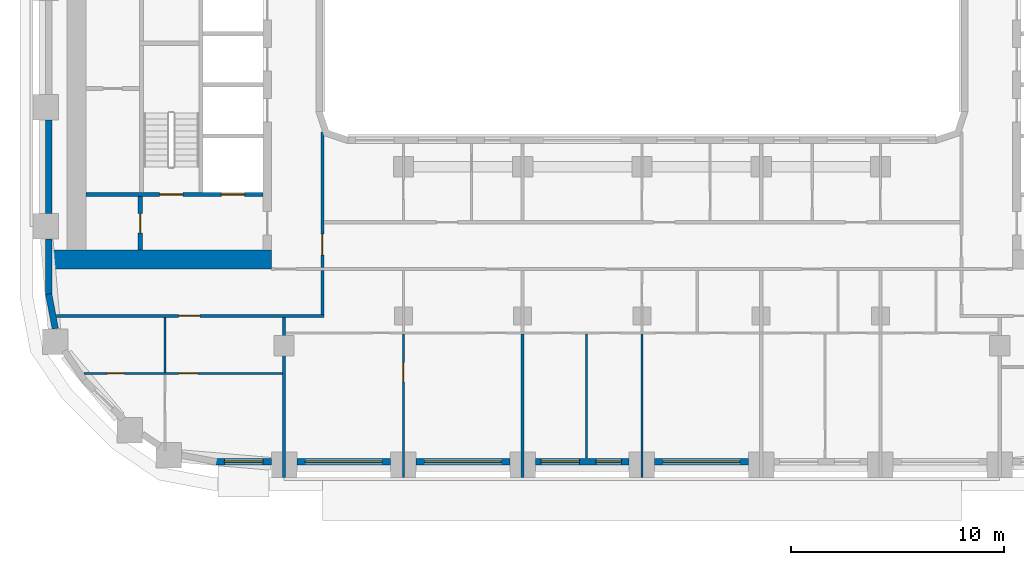
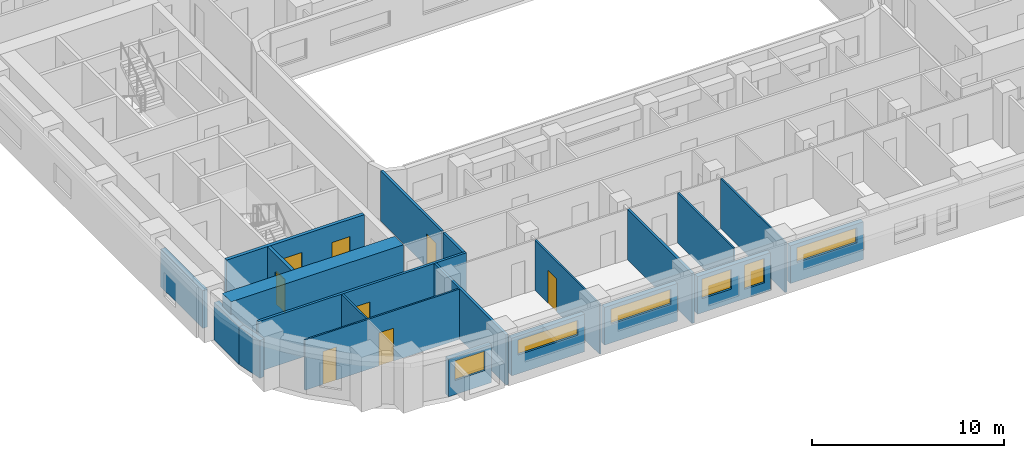
# One storey, part 3 of 23: 21 walls, 8 doors, 6 windows, 14 openings.
"""IFC4 building model written with IfcOpenShell, lengths in metres."""

from ifc_helpers import new_model, si_unit, direction, frame, frame_2d, origin, place, context, subcontext, project, spatial, rectangle, extrude, material, layer, layer_set, type_object, element, fill, save


model = new_model("IFC4")

# Units and contexts
model_context = context("Model", 3, precision=1e-05, world=origin(), true_north=direction((0.0, 1.0)))
body_context = subcontext(model_context, "Body", "Model", "MODEL_VIEW")
ifc_project = project(units=[si_unit("LENGTHUNIT", "METRE"), si_unit("AREAUNIT", "SQUARE_METRE"), si_unit("VOLUMEUNIT", "CUBIC_METRE"), si_unit("PLANEANGLEUNIT", "RADIAN"), si_unit("MASSUNIT", "GRAM", prefix="KILO")], contexts=[model_context])

# Site, building, storey
site_placement = place(None, origin())
site = spatial("IfcSite", under=ifc_project, at=site_placement, CompositionType="ELEMENT")
building_placement = place(site_placement, origin())
building = spatial("IfcBuilding", under=site, at=building_placement, Name="Kiln Ring Residences", CompositionType="ELEMENT")
storey_placement = place(building_placement, frame((0.0, 0.0, 118.300048828125)))
storey = spatial("IfcBuildingStorey", under=building, at=storey_placement, Name="L30", CompositionType="ELEMENT", Elevation=118.300048828125)

# Wall, opening, door
ifc_material_1 = material(Name="Gypsum board on steel studs", Category="steel")
ifc_layer_1 = layer(ifc_material_1, 0.199951171875)
ifc_layer_set_1 = layer_set([ifc_layer_1], Name="CORE-PARTITION-200")
wall_type_1 = type_object("IfcWallType", Name="CORE-PARTITION-200", PredefinedType="PARTITIONING", material=ifc_layer_set_1)
wall_1_placement = place(storey_placement, frame((-23.550048828125, -12.300048828125, 0.0), z_axis=(0.0, 0.0, 1.0), x_axis=(0.0, 1.0, 0.0)))
wall_1 = element("IfcWall", 1, at=wall_1_placement, inside=storey, type_object=wall_type_1, Name="Core partition west L30 5", PredefinedType="PARTITIONING", context=body_context, shape_type="SweptSolid", body=[
    extrude(rectangle(XDim=2.5, YDim=0.199951171875, at=frame_2d((1.25, 0.0))), origin(), (0.0, 0.0, 1.0), 3.199951171875),
])
opening_1_placement = place(wall_1_placement, frame((0.800048828125, 0.0, 0.0)))
opening_1 = element("IfcOpeningElement", 2, at=opening_1_placement, cuts=wall_1, Name="Opening L30-CW11", PredefinedType="OPENING", context=body_context, shape_type="SweptSolid", body=[
    extrude(rectangle(XDim=0.89990234375, YDim=2.10009765625, at=frame_2d((0.449951171875, 1.050048828125))), frame((0.0, 0.10986328125, 0.0), z_axis=(0.0, -1.0, 0.0), x_axis=(1.0, 0.0, 0.0)), (0.0, 0.0, 1.0), 0.219970703125),
])
ifc_material_2 = material(Name="Steel door leaf", Category="steel")
door_type_1 = type_object("IfcDoorType", Name="CORE-DOOR-ROOM", OperationType="SINGLE_SWING_LEFT", PredefinedType="DOOR", material=ifc_material_2)
door_1_placement = place(opening_1_placement, origin())
door_1 = element("IfcDoor", 3, at=door_1_placement, inside=storey, type_object=door_type_1, Name="Store L30-CW11", OperationType="SINGLE_SWING_LEFT", OverallHeight=2.10009765625, OverallWidth=0.89990234375, PredefinedType="DOOR", context=body_context, shape_type="SweptSolid", body=[
    extrude(rectangle(XDim=0.89990234375, YDim=2.10009765625, at=frame_2d((0.449951171875, 1.050048828125))), frame((0.0, 0.02490234375, 0.0), z_axis=(0.0, -1.0, 0.0), x_axis=(1.0, 0.0, 0.0)), (0.0, 0.0, 1.0), 0.050048828125),
])
fill(opening_1, door_1)

# Wall, openings, doors
ifc_material_3 = material(Name="Concrete C40/50", Category="concrete")
ifc_layer_2 = layer(ifc_material_3, 0.199951171875)
ifc_layer_set_2 = layer_set([ifc_layer_2], Name="CORE-WALL-RC200")
wall_type_2 = type_object("IfcWallType", Name="CORE-WALL-RC200", PredefinedType="SHEAR", material=ifc_layer_set_2)
wall_2_placement = place(storey_placement, frame((-17.800048828125, -9.699951171875, 0.0), z_axis=(0.0, 0.0, 1.0), x_axis=(-1.0, 0.0, 0.0)))
wall_2 = element("IfcWall", 4, at=wall_2_placement, inside=storey, type_object=wall_type_2, Name="Core wall west L30 8", PredefinedType="SHEAR", context=body_context, shape_type="SweptSolid", body=[
    extrude(rectangle(XDim=8.300048828125, YDim=0.199951171875, at=frame_2d((4.14990234375, 0.0))), origin(), (0.0, 0.0, 1.0), 3.199951171875),
])
opening_2_placement = place(wall_2_placement, frame((0.85009765625, 0.0, 0.0)))
opening_2 = element("IfcOpeningElement", 5, at=opening_2_placement, cuts=wall_2, Name="Opening L30-CW01", PredefinedType="OPENING", context=body_context, shape_type="SweptSolid", body=[
    extrude(rectangle(XDim=1.10009765625, YDim=2.10009765625, at=frame_2d((0.550048828125, 1.050048828125))), frame((0.0, 0.10986328125, 0.0), z_axis=(0.0, -1.0, 0.0), x_axis=(1.0, 0.0, 0.0)), (0.0, 0.0, 1.0), 0.219970703125),
])
opening_3_placement = place(wall_2_placement, frame((3.75, 0.0, 0.0)))
opening_3 = element("IfcOpeningElement", 6, at=opening_3_placement, cuts=wall_2, Name="Opening L30-CW13", PredefinedType="OPENING", context=body_context, shape_type="SweptSolid", body=[
    extrude(rectangle(XDim=1.10009765625, YDim=2.10009765625, at=frame_2d((0.550048828125, 1.050048828125))), frame((0.0, 0.10986328125, 0.0), z_axis=(0.0, -1.0, 0.0), x_axis=(1.0, 0.0, 0.0)), (0.0, 0.0, 1.0), 0.219970703125),
])
ifc_material_4 = material(Name="Steel door leaf", Category="steel")
door_type_2 = type_object("IfcDoorType", Name="CORE-DOOR-LD", OperationType="DOUBLE_DOOR_SLIDING", PredefinedType="DOOR", material=ifc_material_4)
door_2_placement = place(opening_2_placement, origin())
door_2 = element("IfcDoor", 7, at=door_2_placement, inside=storey, type_object=door_type_2, Name="LD W-SV L30-CW01", OperationType="DOUBLE_DOOR_SLIDING", OverallHeight=2.10009765625, OverallWidth=1.10009765625, PredefinedType="DOOR", context=body_context, shape_type="SweptSolid", body=[
    extrude(rectangle(XDim=1.10009765625, YDim=2.10009765625, at=frame_2d((0.550048828125, 1.050048828125))), frame((0.0, 0.02490234375, 0.0), z_axis=(0.0, -1.0, 0.0), x_axis=(1.0, 0.0, 0.0)), (0.0, 0.0, 1.0), 0.050048828125),
])
fill(opening_2, door_2)
ifc_material_5 = material(Name="Steel door leaf", Category="steel")
door_type_3 = type_object("IfcDoorType", Name="CORE-DOOR-STAIR", OperationType="SINGLE_SWING_LEFT", PredefinedType="DOOR", material=ifc_material_5)
door_3_placement = place(opening_3_placement, origin())
door_3 = element("IfcDoor", 8, at=door_3_placement, inside=storey, type_object=door_type_3, Name="Stair W-STS L30-CW13", OperationType="SINGLE_SWING_RIGHT", OverallHeight=2.10009765625, OverallWidth=1.10009765625, PredefinedType="DOOR", context=body_context, shape_type="SweptSolid", body=[
    extrude(rectangle(XDim=1.10009765625, YDim=2.10009765625, at=frame_2d((0.550048828125, 1.050048828125))), frame((0.0, 0.02490234375, 0.0), z_axis=(0.0, -1.0, 0.0), x_axis=(1.0, 0.0, 0.0)), (0.0, 0.0, 1.0), 0.050048828125),
])
fill(opening_3, door_3)

# Wall
ifc_material_6 = material(Name="Concrete C60/75", Category="concrete")
ifc_layer_3 = layer(ifc_material_6, 0.89990234375)
ifc_layer_set_3 = layer_set([ifc_layer_3], Name="CORE-WALL-RC900")
wall_type_3 = type_object("IfcWallType", Name="CORE-WALL-RC900", PredefinedType="SHEAR", material=ifc_layer_set_3)
wall_3_placement = place(storey_placement, frame((-17.39990234375, -12.75, 0.0), z_axis=(0.0, 0.0, 1.0), x_axis=(-1.0, 0.0, 0.0)))
element("IfcWall", 9, at=wall_3_placement, inside=storey, type_object=wall_type_3, Name="Core wall west L30 5", PredefinedType="SHEAR", context=body_context, shape_type="SweptSolid", body=[
    extrude(rectangle(XDim=10.400146484375, YDim=0.89990234375, at=frame_2d((5.2001953125, 0.0))), origin(), (0.0, 0.0, 1.0), 3.199951171875),
])

# Wall, opening, window
ifc_material_7 = material(Name="Brick masonry, dark clay brick", Category="masonry")
ifc_layer_4 = layer(ifc_material_7, 0.300048828125)
ifc_layer_set_4 = layer_set([ifc_layer_4], Name="EW-300 BRICK WALL")
wall_type_4 = type_object("IfcWallType", Name="EW-300 BRICK WALL", PredefinedType="SOLIDWALL", material=ifc_layer_set_4)
wall_4_placement = place(storey_placement, frame((-20.0, -22.25, 0.0), z_axis=(0.0, 0.0, 1.0), x_axis=(1.0, 0.0, 0.0)))
wall_4 = element("IfcWall", 10, at=wall_4_placement, inside=storey, type_object=wall_type_4, Name="Facade wall L30 4", PredefinedType="SOLIDWALL", context=body_context, shape_type="SweptSolid", body=[
    extrude(rectangle(XDim=2.60009765625, YDim=0.300048828125, at=frame_2d((1.300048828125, 0.0))), origin(), (0.0, 0.0, 1.0), 2.39990234375),
])
opening_4_placement = place(wall_4_placement, frame((0.39990234375, 0.0, 0.89990234375)))
opening_4 = element("IfcOpeningElement", 11, at=opening_4_placement, cuts=wall_4, Name="Opening W2", PredefinedType="OPENING", context=body_context, shape_type="SweptSolid", body=[
    extrude(rectangle(XDim=1.800048828125, YDim=1.25, at=frame_2d((0.89990234375, 0.625))), frame((0.0, 0.159912109375, 0.0), z_axis=(0.0, -1.0, 0.0), x_axis=(1.0, 0.0, 0.0)), (0.0, 0.0, 1.0), 0.320068359375),
])
ifc_material_8 = material(Name="Aluminium frame with double glazing", Category="aluminium")
window_type_1 = type_object("IfcWindowType", Name="WINDOW 1800 x 1250", PartitioningType="SINGLE_PANEL", PredefinedType="WINDOW", material=ifc_material_8)
window_1_placement = place(opening_4_placement, origin())
window_1 = element("IfcWindow", 12, at=window_1_placement, inside=storey, type_object=window_type_1, Name="Window L30 2", OverallHeight=1.25, OverallWidth=1.800048828125, PartitioningType="SINGLE_PANEL", PredefinedType="WINDOW", context=body_context, shape_type="SweptSolid", body=[
    extrude(rectangle(XDim=1.800048828125, YDim=1.25, at=frame_2d((0.89990234375, 0.625))), frame((0.0, 0.030029296875, 0.0), z_axis=(0.0, -1.0, 0.0), x_axis=(1.0, 0.0, 0.0)), (0.0, 0.0, 1.0), 0.06005859375),
])
fill(opening_4, window_1)

wall_5_placement = place(storey_placement, frame((-16.199951171875, -22.25, 0.0), z_axis=(0.0, 0.0, 1.0), x_axis=(1.0, 0.0, 0.0)))
wall_5 = element("IfcWall", 13, at=wall_5_placement, inside=storey, type_object=wall_type_4, Name="Facade wall L30 5", PredefinedType="SOLIDWALL", context=body_context, shape_type="SweptSolid", body=[
    extrude(rectangle(XDim=4.39990234375, YDim=0.300048828125, at=frame_2d((2.199951171875, 0.0))), origin(), (0.0, 0.0, 1.0), 2.39990234375),
])
opening_5_placement = place(wall_5_placement, frame((0.39990234375, 0.0, 1.199951171875)))
opening_5 = element("IfcOpeningElement", 14, at=opening_5_placement, cuts=wall_5, Name="Opening W4", PredefinedType="OPENING", context=body_context, shape_type="SweptSolid", body=[
    extrude(rectangle(XDim=3.60009765625, YDim=0.949951171875, at=frame_2d((1.800048828125, 0.47509765625))), frame((0.0, 0.159912109375, 0.0), z_axis=(0.0, -1.0, 0.0), x_axis=(1.0, 0.0, 0.0)), (0.0, 0.0, 1.0), 0.320068359375),
])
ifc_material_9 = material(Name="Aluminium frame with double glazing", Category="aluminium")
window_type_2 = type_object("IfcWindowType", Name="WINDOW 3600 x 950", PartitioningType="SINGLE_PANEL", PredefinedType="WINDOW", material=ifc_material_9)
window_2_placement = place(opening_5_placement, origin())
window_2 = element("IfcWindow", 15, at=window_2_placement, inside=storey, type_object=window_type_2, Name="Window L30 3", OverallHeight=0.949951171875, OverallWidth=3.60009765625, PartitioningType="SINGLE_PANEL", PredefinedType="WINDOW", context=body_context, shape_type="SweptSolid", body=[
    extrude(rectangle(XDim=3.60009765625, YDim=0.949951171875, at=frame_2d((1.800048828125, 0.47509765625))), frame((0.0, 0.030029296875, 0.0), z_axis=(0.0, -1.0, 0.0), x_axis=(1.0, 0.0, 0.0)), (0.0, 0.0, 1.0), 0.06005859375),
])
fill(opening_5, window_2)

wall_6_placement = place(storey_placement, frame((-10.60009765625, -22.25, 0.0), z_axis=(0.0, 0.0, 1.0), x_axis=(1.0, 0.0, 0.0)))
wall_6 = element("IfcWall", 16, at=wall_6_placement, inside=storey, type_object=wall_type_4, Name="Facade wall L30 6", PredefinedType="SOLIDWALL", context=body_context, shape_type="SweptSolid", body=[
    extrude(rectangle(XDim=4.400146484375, YDim=0.300048828125, at=frame_2d((2.2001953125, 0.0))), origin(), (0.0, 0.0, 1.0), 2.39990234375),
])
opening_6_placement = place(wall_6_placement, frame((0.39990234375, 0.0, 1.199951171875)))
opening_6 = element("IfcOpeningElement", 17, at=opening_6_placement, cuts=wall_6, Name="Opening W4", PredefinedType="OPENING", context=body_context, shape_type="SweptSolid", body=[
    extrude(rectangle(XDim=3.60009765625, YDim=0.949951171875, at=frame_2d((1.800048828125, 0.47509765625))), frame((0.0, 0.159912109375, 0.0), z_axis=(0.0, -1.0, 0.0), x_axis=(1.0, 0.0, 0.0)), (0.0, 0.0, 1.0), 0.320068359375),
])
window_3_placement = place(opening_6_placement, origin())
window_3 = element("IfcWindow", 18, at=window_3_placement, inside=storey, type_object=window_type_2, Name="Window L30 4", OverallHeight=0.949951171875, OverallWidth=3.60009765625, PartitioningType="SINGLE_PANEL", PredefinedType="WINDOW", context=body_context, shape_type="SweptSolid", body=[
    extrude(rectangle(XDim=3.60009765625, YDim=0.949951171875, at=frame_2d((1.800048828125, 0.47509765625))), frame((0.0, 0.030029296875, 0.0), z_axis=(0.0, -1.0, 0.0), x_axis=(1.0, 0.0, 0.0)), (0.0, 0.0, 1.0), 0.06005859375),
])
fill(opening_6, window_3)

# Wall, openings, windows
wall_7_placement = place(storey_placement, frame((-5.0, -22.25, 0.0), z_axis=(0.0, 0.0, 1.0), x_axis=(1.0, 0.0, 0.0)))
wall_7 = element("IfcWall", 19, at=wall_7_placement, inside=storey, type_object=wall_type_4, Name="Facade wall L30 7", PredefinedType="SOLIDWALL", context=body_context, shape_type="SweptSolid", body=[
    extrude(rectangle(XDim=4.39990234375, YDim=0.300048828125, at=frame_2d((2.199951171875, 0.0))), origin(), (0.0, 0.0, 1.0), 2.39990234375),
])
opening_7_placement = place(wall_7_placement, frame((0.262451171875, 0.0, 0.89990234375)))
opening_7 = element("IfcOpeningElement", 20, at=opening_7_placement, cuts=wall_7, Name="Opening W2", PredefinedType="OPENING", context=body_context, shape_type="SweptSolid", body=[
    extrude(rectangle(XDim=1.800048828125, YDim=1.25, at=frame_2d((0.89990234375, 0.625))), frame((0.0, 0.159912109375, 0.0), z_axis=(0.0, -1.0, 0.0), x_axis=(1.0, 0.0, 0.0)), (0.0, 0.0, 1.0), 0.320068359375),
])
opening_8_placement = place(wall_7_placement, frame((2.83740234375, 0.0, 0.60009765625)))
opening_8 = element("IfcOpeningElement", 21, at=opening_8_placement, cuts=wall_7, Name="Opening W1", PredefinedType="OPENING", context=body_context, shape_type="SweptSolid", body=[
    extrude(rectangle(XDim=1.199951171875, YDim=1.550048828125, at=frame_2d((0.60009765625, 0.77490234375))), frame((0.0, 0.159912109375, 0.0), z_axis=(0.0, -1.0, 0.0), x_axis=(1.0, 0.0, 0.0)), (0.0, 0.0, 1.0), 0.320068359375),
])
ifc_material_10 = material(Name="Aluminium frame with double glazing", Category="aluminium")
window_type_3 = type_object("IfcWindowType", Name="WINDOW 1200 x 1550", PartitioningType="SINGLE_PANEL", PredefinedType="WINDOW", material=ifc_material_10)
window_4_placement = place(opening_8_placement, origin())
window_4 = element("IfcWindow", 22, at=window_4_placement, inside=storey, type_object=window_type_3, Name="Window L30 6", OverallHeight=1.550048828125, OverallWidth=1.199951171875, PartitioningType="SINGLE_PANEL", PredefinedType="WINDOW", context=body_context, shape_type="SweptSolid", body=[
    extrude(rectangle(XDim=1.199951171875, YDim=1.550048828125, at=frame_2d((0.60009765625, 0.77490234375))), frame((0.0, 0.030029296875, 0.0), z_axis=(0.0, -1.0, 0.0), x_axis=(1.0, 0.0, 0.0)), (0.0, 0.0, 1.0), 0.06005859375),
])
fill(opening_8, window_4)
window_5_placement = place(opening_7_placement, origin())
window_5 = element("IfcWindow", 23, at=window_5_placement, inside=storey, type_object=window_type_1, Name="Window L30 5", OverallHeight=1.25, OverallWidth=1.800048828125, PartitioningType="SINGLE_PANEL", PredefinedType="WINDOW", context=body_context, shape_type="SweptSolid", body=[
    extrude(rectangle(XDim=1.800048828125, YDim=1.25, at=frame_2d((0.89990234375, 0.625))), frame((0.0, 0.030029296875, 0.0), z_axis=(0.0, -1.0, 0.0), x_axis=(1.0, 0.0, 0.0)), (0.0, 0.0, 1.0), 0.06005859375),
])
fill(opening_7, window_5)

# Wall, opening, window
wall_8_placement = place(storey_placement, frame((0.60009765625, -22.25, 0.0), z_axis=(0.0, 0.0, 1.0), x_axis=(1.0, 0.0, 0.0)))
wall_8 = element("IfcWall", 24, at=wall_8_placement, inside=storey, type_object=wall_type_4, Name="Facade wall L30 8", PredefinedType="SOLIDWALL", context=body_context, shape_type="SweptSolid", body=[
    extrude(rectangle(XDim=4.39990234375, YDim=0.300048828125, at=frame_2d((2.199951171875, 0.0))), origin(), (0.0, 0.0, 1.0), 2.39990234375),
])
opening_9_placement = place(wall_8_placement, frame((0.39990234375, 0.0, 1.199951171875)))
opening_9 = element("IfcOpeningElement", 25, at=opening_9_placement, cuts=wall_8, Name="Opening W4", PredefinedType="OPENING", context=body_context, shape_type="SweptSolid", body=[
    extrude(rectangle(XDim=3.60009765625, YDim=0.949951171875, at=frame_2d((1.800048828125, 0.47509765625))), frame((0.0, 0.159912109375, 0.0), z_axis=(0.0, -1.0, 0.0), x_axis=(1.0, 0.0, 0.0)), (0.0, 0.0, 1.0), 0.320068359375),
])
window_6_placement = place(opening_9_placement, origin())
window_6 = element("IfcWindow", 26, at=window_6_placement, inside=storey, type_object=window_type_2, Name="Window L30 7", OverallHeight=0.949951171875, OverallWidth=3.60009765625, PartitioningType="SINGLE_PANEL", PredefinedType="WINDOW", context=body_context, shape_type="SweptSolid", body=[
    extrude(rectangle(XDim=3.60009765625, YDim=0.949951171875, at=frame_2d((1.800048828125, 0.47509765625))), frame((0.0, 0.030029296875, 0.0), z_axis=(0.0, -1.0, 0.0), x_axis=(1.0, 0.0, 0.0)), (0.0, 0.0, 1.0), 0.06005859375),
])
fill(opening_9, window_6)

# Walls
wall_9_placement = place(storey_placement, frame((-27.85009765625, -6.199951171875, 0.0), z_axis=(0.0, 0.0, 1.0), x_axis=(0.0, -1.0, 0.0)))
element("IfcWall", 27, at=wall_9_placement, inside=storey, type_object=wall_type_4, Name="Facade wall L30 45", PredefinedType="SOLIDWALL", context=body_context, shape_type="SweptSolid", body=[
    extrude(rectangle(XDim=4.400146484375, YDim=0.300048828125, at=frame_2d((2.2001953125, 0.0))), origin(), (0.0, 0.0, 1.0), 2.39990234375),
])
wall_10_placement = place(storey_placement, frame((-27.85009765625, -11.800048828125, 0.0), z_axis=(0.0, 0.0, 1.0), x_axis=(0.0, -1.0, 0.0)))
element("IfcWall", 28, at=wall_10_placement, inside=storey, type_object=wall_type_4, Name="Facade wall L30 46", PredefinedType="SOLIDWALL", context=body_context, shape_type="SweptSolid", body=[
    extrude(rectangle(XDim=2.599853515625, YDim=0.300048828125, at=frame_2d((1.2998046875, 0.0))), origin(), (0.0, 0.0, 1.0), 2.39990234375),
])
wall_11_placement = place(storey_placement, frame((-27.8525390625, -14.371826171875, 0.0), z_axis=(0.0, 0.0, 1.0), x_axis=(0.187349172861, -0.982293381546, 0.0)))
element("IfcWall", 29, at=wall_11_placement, inside=storey, type_object=wall_type_4, Name="Facade wall L30 47", PredefinedType="SOLIDWALL", context=body_context, shape_type="SweptSolid", body=[
    extrude(rectangle(XDim=1.65625, YDim=0.300048828125, at=frame_2d((0.828125, 0.0))), origin(), (0.0, 0.0, 1.0), 2.39990234375),
])

# Wall, openings, doors
ifc_material_11 = material(Name="Gypsum board on steel studs", Category="steel")
ifc_layer_5 = layer(ifc_material_11, 0.10009765625)
ifc_layer_set_5 = layer_set([ifc_layer_5], Name="PARTITION-100")
wall_type_5 = type_object("IfcWallType", Name="PARTITION-100", PredefinedType="PARTITIONING", material=ifc_layer_set_5)
wall_12_placement = place(storey_placement, frame((-26.190185546875, -18.10009765625, 0.0), z_axis=(0.0, 0.0, 1.0), x_axis=(1.0, 0.0, 0.0)))
wall_12 = element("IfcWall", 30, at=wall_12_placement, inside=storey, type_object=wall_type_5, Name="Partition 000", PredefinedType="PARTITIONING", context=body_context, shape_type="SweptSolid", body=[
    extrude(rectangle(XDim=9.315185546875, YDim=0.10009765625, at=frame_2d((4.65771484375, 0.0))), origin(), (0.0, 0.0, 1.0), 3.199951171875),
])
opening_10_placement = place(wall_12_placement, frame((1.090087890625, 0.0, 0.0)))
opening_10 = element("IfcOpeningElement", 31, at=opening_10_placement, cuts=wall_12, Name="Opening L30-D074", PredefinedType="OPENING", context=body_context, shape_type="SweptSolid", body=[
    extrude(rectangle(XDim=0.800048828125, YDim=2.10009765625, at=frame_2d((0.39990234375, 1.050048828125))), frame((0.0, 0.06005859375, 0.0), z_axis=(0.0, -1.0, 0.0), x_axis=(1.0, 0.0, 0.0)), (0.0, 0.0, 1.0), 0.1201171875),
])
opening_11_placement = place(wall_12_placement, frame((4.440185546875, 0.0, 0.0)))
opening_11 = element("IfcOpeningElement", 32, at=opening_11_placement, cuts=wall_12, Name="Opening L30-D075", PredefinedType="OPENING", context=body_context, shape_type="SweptSolid", body=[
    extrude(rectangle(XDim=0.89990234375, YDim=2.10009765625, at=frame_2d((0.449951171875, 1.050048828125))), frame((0.0, 0.06005859375, 0.0), z_axis=(0.0, -1.0, 0.0), x_axis=(1.0, 0.0, 0.0)), (0.0, 0.0, 1.0), 0.1201171875),
])
ifc_material_12 = material(Name="Timber door leaf", Category="wood")
door_type_4 = type_object("IfcDoorType", Name="FLAT-DOOR-800-PL", OperationType="SINGLE_SWING_LEFT", PredefinedType="DOOR", material=ifc_material_12)
door_4_placement = place(opening_10_placement, origin())
door_4 = element("IfcDoor", 33, at=door_4_placement, inside=storey, type_object=door_type_4, Name="Door L30-D074", OperationType="SINGLE_SWING_RIGHT", OverallHeight=2.10009765625, OverallWidth=0.800048828125, PredefinedType="DOOR", context=body_context, shape_type="SweptSolid", body=[
    extrude(rectangle(XDim=0.800048828125, YDim=2.10009765625, at=frame_2d((0.39990234375, 1.050048828125))), frame((0.0, 0.02490234375, 0.0), z_axis=(0.0, -1.0, 0.0), x_axis=(1.0, 0.0, 0.0)), (0.0, 0.0, 1.0), 0.050048828125),
])
fill(opening_10, door_4)
ifc_material_13 = material(Name="Timber door leaf", Category="wood")
door_type_5 = type_object("IfcDoorType", Name="FLAT-DOOR-900-PL", OperationType="SINGLE_SWING_LEFT", PredefinedType="DOOR", material=ifc_material_13)
door_5_placement = place(opening_11_placement, origin())
door_5 = element("IfcDoor", 34, at=door_5_placement, inside=storey, type_object=door_type_5, Name="Door L30-D075", OperationType="SINGLE_SWING_LEFT", OverallHeight=2.10009765625, OverallWidth=0.89990234375, PredefinedType="DOOR", context=body_context, shape_type="SweptSolid", body=[
    extrude(rectangle(XDim=0.89990234375, YDim=2.10009765625, at=frame_2d((0.449951171875, 1.050048828125))), frame((0.0, 0.02490234375, 0.0), z_axis=(0.0, -1.0, 0.0), x_axis=(1.0, 0.0, 0.0)), (0.0, 0.0, 1.0), 0.050048828125),
])
fill(opening_11, door_5)

# Wall
wall_13_placement = place(storey_placement, frame((-22.39990234375, -18.050048828125, 0.0), z_axis=(0.0, 0.0, 1.0), x_axis=(0.0, 1.0, 0.0)))
element("IfcWall", 35, at=wall_13_placement, inside=storey, type_object=wall_type_5, Name="Partition 015", PredefinedType="PARTITIONING", context=body_context, shape_type="SweptSolid", body=[
    extrude(rectangle(XDim=2.574951171875, YDim=0.10009765625, at=frame_2d((1.28759765625, 0.0))), origin(), (0.0, 0.0, 1.0), 3.199951171875),
])

# Wall, opening, door
wall_14_placement = place(storey_placement, frame((-11.199951171875, -22.97998046875, 0.0), z_axis=(0.0, 0.0, 1.0), x_axis=(0.0, 1.0, 0.0)))
wall_14 = element("IfcWall", 36, at=wall_14_placement, inside=storey, type_object=wall_type_5, Name="Partition 025", PredefinedType="PARTITIONING", context=body_context, shape_type="SweptSolid", body=[
    extrude(rectangle(XDim=6.72998046875, YDim=0.10009765625, at=frame_2d((3.364990234375, 0.0))), origin(), (0.0, 0.0, 1.0), 3.199951171875),
])
opening_12_placement = place(wall_14_placement, frame((4.47998046875, 0.0, 0.0)))
opening_12 = element("IfcOpeningElement", 37, at=opening_12_placement, cuts=wall_14, Name="Opening L30-D055", PredefinedType="OPENING", context=body_context, shape_type="SweptSolid", body=[
    extrude(rectangle(XDim=0.89990234375, YDim=2.10009765625, at=frame_2d((0.449951171875, 1.050048828125))), frame((0.0, 0.06005859375, 0.0), z_axis=(0.0, -1.0, 0.0), x_axis=(1.0, 0.0, 0.0)), (0.0, 0.0, 1.0), 0.1201171875),
])
door_6_placement = place(opening_12_placement, origin())
door_6 = element("IfcDoor", 38, at=door_6_placement, inside=storey, type_object=door_type_5, Name="Door L30-D055", OperationType="SINGLE_SWING_LEFT", OverallHeight=2.10009765625, OverallWidth=0.89990234375, PredefinedType="DOOR", context=body_context, shape_type="SweptSolid", body=[
    extrude(rectangle(XDim=0.89990234375, YDim=2.10009765625, at=frame_2d((0.449951171875, 1.050048828125))), frame((0.0, 0.02490234375, 0.0), z_axis=(0.0, -1.0, 0.0), x_axis=(1.0, 0.0, 0.0)), (0.0, 0.0, 1.0), 0.050048828125),
])
fill(opening_12, door_6)

# Walls
wall_15_placement = place(storey_placement, frame((-2.60009765625, -22.080078125, 0.0), z_axis=(0.0, 0.0, 1.0), x_axis=(0.0, 1.0, 0.0)))
element("IfcWall", 39, at=wall_15_placement, inside=storey, type_object=wall_type_5, Name="Partition 040", PredefinedType="PARTITIONING", context=body_context, shape_type="SweptSolid", body=[
    extrude(rectangle(XDim=5.830078125, YDim=0.10009765625, at=frame_2d((2.9150390625, 0.0))), origin(), (0.0, 0.0, 1.0), 3.199951171875),
])
wall_16_placement = place(storey_placement, frame((0.0, -22.97998046875, 0.0), z_axis=(0.0, 0.0, 1.0), x_axis=(0.0, 1.0, 0.0)))
element("IfcWall", 40, at=wall_16_placement, inside=storey, type_object=wall_type_5, Name="Partition 041", PredefinedType="PARTITIONING", context=body_context, shape_type="SweptSolid", body=[
    extrude(rectangle(XDim=6.72998046875, YDim=0.10009765625, at=frame_2d((3.364990234375, 0.0))), origin(), (0.0, 0.0, 1.0), 3.199951171875),
])

# Wall, opening, door
ifc_material_14 = material(Name="Brick masonry partition", Category="masonry")
ifc_layer_6 = layer(ifc_material_14, 0.14990234375)
ifc_layer_set_6 = layer_set([ifc_layer_6], Name="PARTITION-150-ei60")
wall_type_6 = type_object("IfcWallType", Name="PARTITION-150-ei60", PredefinedType="PARTITIONING", material=ifc_layer_set_6)
wall_17_placement = place(storey_placement, frame((-27.48388671875, -15.39990234375, 0.0), z_axis=(0.0, 0.0, 1.0), x_axis=(1.0, 0.0, 0.0)))
wall_17 = element("IfcWall", 41, at=wall_17_placement, inside=storey, type_object=wall_type_6, Name="Partition 003", PredefinedType="PARTITIONING", context=body_context, shape_type="SweptSolid", body=[
    extrude(rectangle(XDim=12.558837890625, YDim=0.14990234375, at=frame_2d((6.279296875, 0.0))), origin(), (0.0, 0.0, 1.0), 3.199951171875),
])
opening_13_placement = place(wall_17_placement, frame((5.73388671875, 0.0, 0.0)))
opening_13 = element("IfcOpeningElement", 42, at=opening_13_placement, cuts=wall_17, Name="Opening L30-D073", PredefinedType="OPENING", context=body_context, shape_type="SweptSolid", body=[
    extrude(rectangle(XDim=1.0, YDim=2.10009765625, at=frame_2d((0.5, 1.050048828125))), frame((0.0, 0.0849609375, 0.0), z_axis=(0.0, -1.0, 0.0), x_axis=(1.0, 0.0, 0.0)), (0.0, 0.0, 1.0), 0.169921875),
])
ifc_material_15 = material(Name="Steel faced fire door leaf", Category="steel")
door_type_6 = type_object("IfcDoorType", Name="FLAT-DOOR-1000-FR", OperationType="SINGLE_SWING_LEFT", PredefinedType="DOOR", material=ifc_material_15)
door_7_placement = place(opening_13_placement, origin())
door_7 = element("IfcDoor", 43, at=door_7_placement, inside=storey, type_object=door_type_6, Name="Door L30-D073", OperationType="SINGLE_SWING_LEFT", OverallHeight=2.10009765625, OverallWidth=1.0, PredefinedType="DOOR", context=body_context, shape_type="SweptSolid", body=[
    extrude(rectangle(XDim=1.0, YDim=2.10009765625, at=frame_2d((0.5, 1.050048828125))), frame((0.0, 0.02490234375, 0.0), z_axis=(0.0, -1.0, 0.0), x_axis=(1.0, 0.0, 0.0)), (0.0, 0.0, 1.0), 0.050048828125),
])
fill(opening_13, door_7)

# Walls
wall_18_placement = place(storey_placement, frame((-16.800048828125, -22.97998046875, 0.0), z_axis=(0.0, 0.0, 1.0), x_axis=(0.0, 1.0, 0.0)))
element("IfcWall", 44, at=wall_18_placement, inside=storey, type_object=wall_type_6, Name="Partition 018", PredefinedType="PARTITIONING", context=body_context, shape_type="SweptSolid", body=[
    extrude(rectangle(XDim=7.5048828125, YDim=0.14990234375, at=frame_2d((3.75244140625, 0.0))), origin(), (0.0, 0.0, 1.0), 3.199951171875),
])
wall_19_placement = place(storey_placement, frame((-15.0, -15.324951171875, 0.0), z_axis=(0.0, 0.0, 1.0), x_axis=(0.0, 1.0, 0.0)))
element("IfcWall", 45, at=wall_19_placement, inside=storey, type_object=wall_type_6, Name="Partition 020", PredefinedType="PARTITIONING", context=body_context, shape_type="SweptSolid", body=[
    extrude(rectangle(XDim=2.050048828125, YDim=0.14990234375, at=frame_2d((1.02490234375, 0.0))), origin(), (0.0, 0.0, 1.0), 3.199951171875),
])

# Wall, opening, door
wall_20_placement = place(storey_placement, frame((-15.0, -13.125, 0.0), z_axis=(0.0, 0.0, 1.0), x_axis=(0.0, 1.0, 0.0)))
wall_20 = element("IfcWall", 46, at=wall_20_placement, inside=storey, type_object=wall_type_6, Name="Partition 021", PredefinedType="PARTITIONING", context=body_context, shape_type="SweptSolid", body=[
    extrude(rectangle(XDim=6.356201171875, YDim=0.14990234375, at=frame_2d((3.17822265625, 0.0))), origin(), (0.0, 0.0, 1.0), 3.199951171875),
])
opening_14_placement = place(wall_20_placement, frame((0.574951171875, 0.0, 0.0)))
opening_14 = element("IfcOpeningElement", 47, at=opening_14_placement, cuts=wall_20, Name="Opening L30-D005", PredefinedType="OPENING", context=body_context, shape_type="SweptSolid", body=[
    extrude(rectangle(XDim=1.0, YDim=2.10009765625, at=frame_2d((0.5, 1.050048828125))), frame((0.0, 0.0849609375, 0.0), z_axis=(0.0, -1.0, 0.0), x_axis=(1.0, 0.0, 0.0)), (0.0, 0.0, 1.0), 0.169921875),
])
door_8_placement = place(opening_14_placement, origin())
door_8 = element("IfcDoor", 48, at=door_8_placement, inside=storey, type_object=door_type_6, Name="Door L30-D005", OperationType="SINGLE_SWING_RIGHT", OverallHeight=2.10009765625, OverallWidth=1.0, PredefinedType="DOOR", context=body_context, shape_type="SweptSolid", body=[
    extrude(rectangle(XDim=1.0, YDim=2.10009765625, at=frame_2d((0.5, 1.050048828125))), frame((0.0, 0.02490234375, 0.0), z_axis=(0.0, -1.0, 0.0), x_axis=(1.0, 0.0, 0.0)), (0.0, 0.0, 1.0), 0.050048828125),
])
fill(opening_14, door_8)

# Wall
wall_21_placement = place(storey_placement, frame((-5.60009765625, -22.97998046875, 0.0), z_axis=(0.0, 0.0, 1.0), x_axis=(0.0, 1.0, 0.0)))
element("IfcWall", 49, at=wall_21_placement, inside=storey, type_object=wall_type_6, Name="Partition 034", PredefinedType="PARTITIONING", context=body_context, shape_type="SweptSolid", body=[
    extrude(rectangle(XDim=6.72998046875, YDim=0.14990234375, at=frame_2d((3.364990234375, 0.0))), origin(), (0.0, 0.0, 1.0), 3.199951171875),
])

save(model, "model.ifc")
